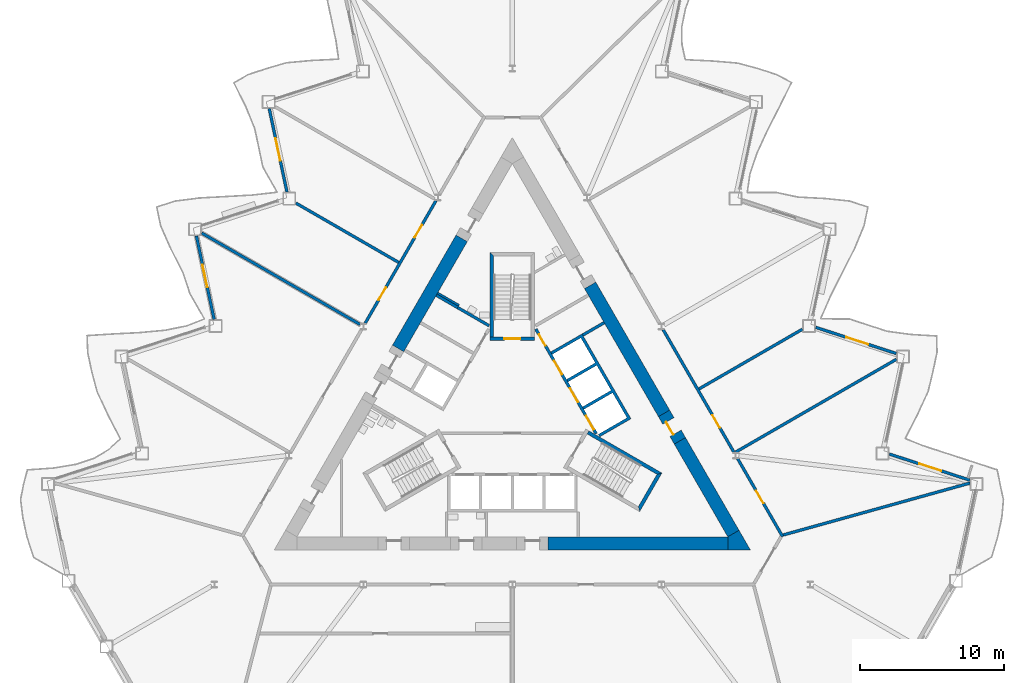
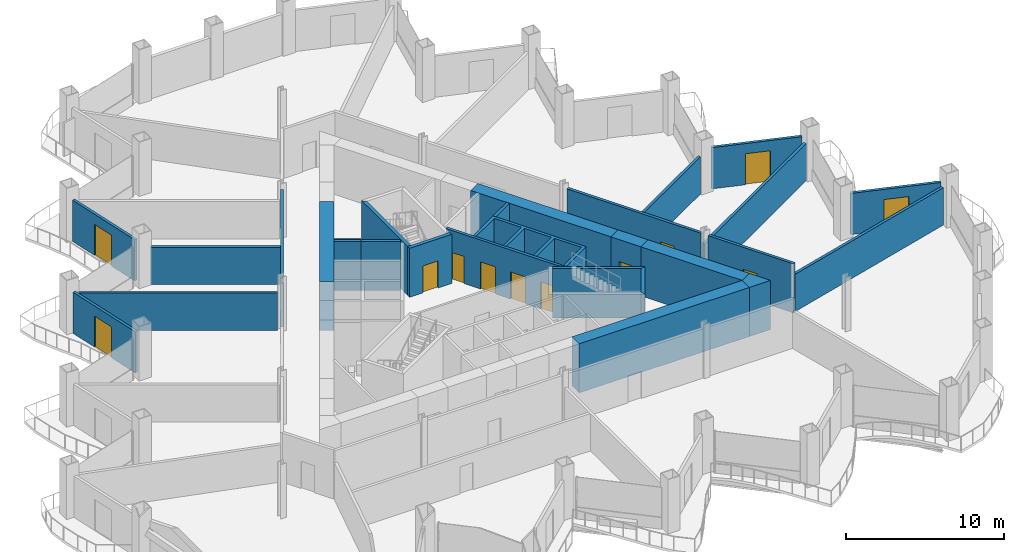
# One storey, part 12 of 21: 28 walls, 14 doors, 14 openings.
"""IFC4 building model written with IfcOpenShell, lengths in metres."""

import ifcopenshell
import ifcopenshell.guid

model = None  # the IFC model being written
_history = None  # IfcOwnerHistory: only IFC2X3 demands one
_inside = {}  # id of a spatial element -> (the spatial element, [elements in it])
_under = {}  # id of a project, library or spatial element -> (it, [spatial elements below it])
_declared = {}  # id of a project -> (the project, [libraries it declares])
_typed = {}  # id of a type object -> (the type object, [elements of that type])
_made_of = {}  # id of a material, layer set ... -> (it, [elements and type objects made of it])


def new_model(schema):
    """Start an empty IFC model of exactly this schema.

    Asked for "IFC4X3", IfcOpenShell would pick the latest addendum, in which some entities
    have other attributes; the version numbers below select the first issue.
    IFC2X3 requires an IfcOwnerHistory on every rooted entity: one is made here for all.
    """
    global model, _history
    if schema == "IFC4X3":
        model = ifcopenshell.file(schema_version=(4, 3, 0, 0))
    else:
        model = ifcopenshell.file(schema=schema)
    _inside.clear()
    _under.clear()
    _declared.clear()
    _typed.clear()
    _made_of.clear()
    _history = None
    if model.schema == "IFC2X3":
        org = make("IfcOrganization", Name="unknown")
        user = make(
            "IfcPersonAndOrganization",
            ThePerson=make("IfcPerson", FamilyName="unknown"),
            TheOrganization=org,
        )
        app = make(
            "IfcApplication",
            ApplicationDeveloper=org,
            Version="unknown",
            ApplicationFullName="unknown",
            ApplicationIdentifier="unknown",
        )
        _history = make(
            "IfcOwnerHistory",
            OwningUser=user,
            OwningApplication=app,
            ChangeAction="ADDED",
            CreationDate=0,
        )
    return model


def make(cls, **values):
    """One entity of the class cls with the attributes given. An attribute that is None is left unset."""
    return model.create_entity(
        cls, **{name: value for name, value in values.items() if value is not None}
    )


def rooted(cls, **values):
    """An entity with a GlobalId (a new one), such as an element, a storey or a relation."""
    return make(cls, GlobalId=ifcopenshell.guid.new(), OwnerHistory=_history, **values)


def si_unit(unit_type, name, prefix=None):
    """IfcSIUnit, for example si_unit("LENGTHUNIT", "METRE", prefix="MILLI")."""
    return make("IfcSIUnit", UnitType=unit_type, Prefix=prefix, Name=name)


def assignment(units):
    """IfcUnitAssignment: the units of a project."""
    return None if units is None else make("IfcUnitAssignment", Units=units)


def point(xyz):
    """IfcCartesianPoint."""
    return None if xyz is None else make("IfcCartesianPoint", Coordinates=xyz)


def direction(xyz):
    """IfcDirection."""
    return None if xyz is None else make("IfcDirection", DirectionRatios=xyz)


def frame(location, z_axis=None, x_axis=None):
    """IfcAxis2Placement3D, a coordinate frame: its origin and axes. An axis left out is left unset."""
    return make(
        "IfcAxis2Placement3D",
        Location=point(location),
        Axis=direction(z_axis),
        RefDirection=direction(x_axis),
    )


def frame_2d(location, x_axis=None):
    """IfcAxis2Placement2D, a coordinate frame in the plane: its origin and x axis."""
    return make(
        "IfcAxis2Placement2D", Location=point(location), RefDirection=direction(x_axis)
    )


def origin():
    """The frame at (0, 0, 0) with its axes left unset."""
    return frame((0.0, 0.0, 0.0))


def place(relative_to, where):
    """IfcLocalPlacement: puts the frame where relative to a parent placement (None: the world)."""
    return make(
        "IfcLocalPlacement", PlacementRelTo=relative_to, RelativePlacement=where
    )


def context(
    kind, dimensions, precision=None, world=None, true_north=None, identifier=None
):
    """IfcGeometricRepresentationContext, for example the 3D "Model" context."""
    return make(
        "IfcGeometricRepresentationContext",
        ContextIdentifier=identifier,
        ContextType=kind,
        CoordinateSpaceDimension=dimensions,
        Precision=precision,
        WorldCoordinateSystem=world,
        TrueNorth=true_north,
    )


def subcontext(parent, identifier, kind, view, scale=None):
    """IfcGeometricRepresentationSubContext, for example "Body" below "Model"."""
    return make(
        "IfcGeometricRepresentationSubContext",
        ContextIdentifier=identifier,
        ContextType=kind,
        ParentContext=parent,
        TargetScale=scale,
        TargetView=view,
    )


def project(units=None, contexts=None):
    """IfcProject with its units and contexts."""
    return rooted(
        "IfcProject",
        Name="project",
        RepresentationContexts=contexts,
        UnitsInContext=assignment(units),
    )


def spatial(cls, under=None, at=None, **own):
    """A site, building, storey or space (cls), placed at a placement, below another one or the project."""
    s = rooted(cls, ObjectPlacement=at, **own)
    if under is not None:
        _under.setdefault(under.id(), (under, []))[1].append(s)
    return s


def polyline(points):
    """IfcPolyline through the points."""
    return make("IfcPolyline", Points=[point(p) for p in points])


def profile(cls, at=None, kind="AREA", **sizes):
    """A parametric profile (cls). Its sizes go by their IFC names, for example OverallWidth=200.0."""
    return make(cls, ProfileType=kind, Position=at, **sizes)


def rectangle(**sizes):
    """IfcRectangleProfileDef."""
    return profile("IfcRectangleProfileDef", **sizes)


def outline(outer, holes=None, kind="AREA"):
    """IfcArbitraryClosedProfileDef: a profile drawn as a closed curve; with holes, ...WithVoids."""
    if holes is None:
        return make("IfcArbitraryClosedProfileDef", ProfileType=kind, OuterCurve=outer)
    return make(
        "IfcArbitraryProfileDefWithVoids",
        ProfileType=kind,
        OuterCurve=outer,
        InnerCurves=holes,
    )


def extrude(swept, where, along, depth):
    """IfcExtrudedAreaSolid: the profile swept, set in the frame where, extruded along a direction by depth."""
    return make(
        "IfcExtrudedAreaSolid",
        SweptArea=swept,
        Position=where,
        ExtrudedDirection=direction(along),
        Depth=depth,
    )


def shape(context_of_items, identifier, shape_type, items):
    """IfcShapeRepresentation: the items that make up one representation, for example the "Body"."""
    return make(
        "IfcShapeRepresentation",
        ContextOfItems=context_of_items,
        RepresentationIdentifier=identifier,
        RepresentationType=shape_type,
        Items=items,
    )


def material(Name=None, Category=None):
    """IfcMaterial."""
    return make("IfcMaterial", Name=Name, Category=Category)


def layer(
    of_material, thickness, ventilated=None, Name=None, Category=None, Priority=None
):
    """IfcMaterialLayer: one layer of a wall or slab, of a material (None: an air gap)."""
    return make(
        "IfcMaterialLayer",
        Material=of_material,
        LayerThickness=thickness,
        IsVentilated=ventilated,
        Name=Name,
        Category=Category,
        Priority=Priority,
    )


def layer_set(layers, Name=None):
    """IfcMaterialLayerSet."""
    return make("IfcMaterialLayerSet", MaterialLayers=layers, LayerSetName=Name)


def made_of(thing, what):
    """Note that an element or type object is made of a material, layer set ...; save() writes the relation."""
    if what is not None:
        _made_of.setdefault(what.id(), (what, []))[1].append(thing)
    return thing


def type_object(cls, material=None, **own):
    """A type object (cls), such as IfcWallType, which elements share."""
    return made_of(rooted(cls, **own), material)


def element(
    cls,
    number,
    at=None,
    inside=None,
    cuts=None,
    type_object=None,
    material=None,
    context=None,
    identifier="Body",
    shape_type=None,
    held_by="IfcProductDefinitionShape",
    body=None,
    shapes=None,
    **own,
):
    """One element of the class cls, such as IfcWall. Its Tag is "e" and its number.

    at: its placement. inside: the storey or other place that contains it. cuts: it is an
    opening in that element (IfcRelVoidsElement). A single representation is given by context,
    identifier, shape_type and body (its items); several are given by shapes. held_by: the class
    of the entity that holds the representations. save() writes the other relations.
    """
    e = rooted(cls, Tag="e%d" % number, ObjectPlacement=at, **own)
    if body is not None:
        shapes = [shape(context, identifier, shape_type, body)]
    if shapes is not None:
        e.Representation = make(held_by, Representations=shapes)
    if inside is not None:
        _inside.setdefault(inside.id(), (inside, []))[1].append(e)
    if cuts is not None:
        rooted(
            "IfcRelVoidsElement", RelatingBuildingElement=cuts, RelatedOpeningElement=e
        )
    if type_object is not None:
        _typed.setdefault(type_object.id(), (type_object, []))[1].append(e)
    return made_of(e, material)


def fill(opening, filler):
    """IfcRelFillsElement: the door or window that sits in an opening."""
    return rooted(
        "IfcRelFillsElement",
        RelatingOpeningElement=opening,
        RelatedBuildingElement=filler,
    )


def aggregate(whole, parts):
    """IfcRelAggregates: a whole, such as a stair, and the parts it consists of."""
    return rooted("IfcRelAggregates", RelatingObject=whole, RelatedObjects=parts)


def save(model, path):
    """Write the relations noted so far, then the file.

    IfcRelAggregates (storeys below a building ...), IfcRelContainedInSpatialStructure (elements
    in a storey), IfcRelDefinesByType, IfcRelAssociatesMaterial and IfcRelDeclares: one each for
    every whole, place, type object, material and project.
    """
    for whole, parts in _under.values():
        aggregate(whole, parts)
    for where, things in _inside.values():
        rooted(
            "IfcRelContainedInSpatialStructure",
            RelatedElements=things,
            RelatingStructure=where,
        )
    for kind, things in _typed.values():
        rooted("IfcRelDefinesByType", RelatedObjects=things, RelatingType=kind)
    for what, things in _made_of.values():
        rooted("IfcRelAssociatesMaterial", RelatedObjects=things, RelatingMaterial=what)
    for by, libraries in _declared.values():
        rooted("IfcRelDeclares", RelatingContext=by, RelatedDefinitions=libraries)
    model.write(path)


model = new_model("IFC4")

# Units and contexts
model_context = context("Model", 3, precision=1e-05, world=origin(), true_north=direction((0.0, 1.0)))
body_context = subcontext(model_context, "Body", "Model", "MODEL_VIEW")
ifc_project = project(units=[si_unit("LENGTHUNIT", "METRE"), si_unit("AREAUNIT", "SQUARE_METRE"), si_unit("VOLUMEUNIT", "CUBIC_METRE"), si_unit("PLANEANGLEUNIT", "RADIAN"), si_unit("MASSUNIT", "GRAM", prefix="KILO")], contexts=[model_context])

# Site, building, storey
site_placement = place(None, origin())
site = spatial("IfcSite", under=ifc_project, at=site_placement, CompositionType="ELEMENT")
building_placement = place(site_placement, origin())
building = spatial("IfcBuilding", under=site, at=building_placement, Name="Cormorant Prow Tower", CompositionType="ELEMENT")
storey_placement = place(building_placement, frame((0.0, 0.0, 137.39990234375)))
storey = spatial("IfcBuildingStorey", under=building, at=storey_placement, Name="L29", CompositionType="ELEMENT", Elevation=137.39990234375)

# Walls
ifc_material_1 = material(Name="Gypsum board partition")
ifc_layer_1 = layer(ifc_material_1, 0.14990234375)
ifc_layer_set_1 = layer_set([ifc_layer_1], Name="Gypsum board partition")
wall_type_1 = type_object("IfcWallType", Name="Core partition 150", PredefinedType="PARTITIONING", material=ifc_layer_set_1)
wall_1_placement = place(storey_placement, frame((-3.693359375, 7.4150390625, 0.0), z_axis=(0.0, 0.0, 1.0), x_axis=(-0.866024871741, 0.500000921525, 0.0)))
element("IfcWall", 1, at=wall_1_placement, inside=storey, type_object=wall_type_1, Name="Service room partition", PredefinedType="PARTITIONING", context=body_context, shape_type="SweptSolid", body=[
    extrude(rectangle(XDim=1.72021484375, YDim=0.14990234375, at=frame_2d((0.860107421875, 0.0))), origin(), (0.0, 0.0, 1.0), 3.800048828125),
])
ifc_material_2 = material(Name="Concrete 8000 psi", Category="concrete")
ifc_layer_2 = layer(ifc_material_2, 0.89990234375)
ifc_layer_set_2 = layer_set([ifc_layer_2], Name="Concrete 8000 psi")
wall_type_2 = type_object("IfcWallType", Name="Core shear wall 900", PredefinedType="SHEAR", material=ifc_layer_set_2)
wall_2_placement = place(storey_placement, frame((2.487548828125, -9.076416015625, 0.0), z_axis=(0.0, 0.0, 1.0), x_axis=(1.0, 0.0, 0.0)))
element("IfcWall", 2, at=wall_2_placement, inside=storey, type_object=wall_type_2, Name="Core wall", PredefinedType="SHEAR", context=body_context, shape_type="SweptSolid", body=[
    extrude(rectangle(XDim=12.45361328125, YDim=0.89990234375, at=frame_2d((6.226806640625, 0.0))), origin(), (0.0, 0.0, 1.0), 3.800048828125),
])
wall_3_placement = place(storey_placement, frame((10.5205078125, -0.069580078125, 0.0), z_axis=(0.0, 0.0, 1.0), x_axis=(-0.499997384719, 0.866026913713, 0.0)))
element("IfcWall", 3, at=wall_3_placement, inside=storey, type_object=wall_type_2, Name="Core wall", PredefinedType="SHEAR", context=body_context, shape_type="SweptSolid", body=[
    extrude(rectangle(XDim=10.2490234375, YDim=0.89990234375, at=frame_2d((5.12451171875, 0.0))), origin(), (0.0, 0.0, 1.0), 3.800048828125),
])
wall_4_placement = place(storey_placement, frame((15.330810546875, -8.4013671875, 0.0), z_axis=(0.0, 0.0, 1.0), x_axis=(-0.499985413531, 0.866033825122, 0.0)))
element("IfcWall", 4, at=wall_4_placement, inside=storey, type_object=wall_type_2, Name="Core wall", PredefinedType="SHEAR", context=body_context, shape_type="SweptSolid", body=[
    extrude(rectangle(XDim=7.420654296875, YDim=0.89990234375, at=frame_2d((3.71044921875, 0.0))), origin(), (0.0, 0.0, 1.0), 3.800048828125),
])
wall_5_placement = place(storey_placement, frame((-3.512451171875, 12.06884765625, 0.0), z_axis=(0.0, 0.0, 1.0), x_axis=(-0.500002126466, -0.866024176065, 0.0)))
element("IfcWall", 5, at=wall_5_placement, inside=storey, type_object=wall_type_2, Name="Core wall", PredefinedType="SHEAR", context=body_context, shape_type="SweptSolid", body=[
    extrude(rectangle(XDim=8.81591796875, YDim=0.89990234375, at=frame_2d((4.407958984375, 0.0))), origin(), (0.0, 0.0, 1.0), 3.800048828125),
])
wall_6_placement = place(storey_placement, origin())
element("IfcWall", 6, at=wall_6_placement, inside=storey, type_object=wall_type_2, Name="Core wall corner", PredefinedType="SHEAR", context=body_context, shape_type="SweptSolid", body=[
    extrude(outline(polyline([(14.941162109375, -8.626220703125), (15.720703125, -8.17626953125), (16.5, -9.5263671875), (14.941162109375, -9.5263671875), (14.941162109375, -8.626220703125)])), origin(), (0.0, 0.0, 1.0), 3.800048828125),
])

# Wall, opening, door
wall_7_placement = place(storey_placement, frame((11.62060546875, -1.974853515625, 0.0), z_axis=(0.0, 0.0, 1.0), x_axis=(-0.50002983664, 0.866008176907, 0.0)))
wall_7 = element("IfcWall", 7, at=wall_7_placement, inside=storey, type_object=wall_type_2, Name="Core wall door panel", PredefinedType="SHEAR", context=body_context, shape_type="SweptSolid", body=[
    extrude(rectangle(XDim=2.199951171875, YDim=0.89990234375, at=frame_2d((1.10009765625, 0.0))), origin(), (0.0, 0.0, 1.0), 3.800048828125),
])
opening_1_placement = place(wall_7_placement, frame((0.60009765625, 0.0, 0.0)))
opening_1 = element("IfcOpeningElement", 8, at=opening_1_placement, cuts=wall_7, Name="Opening L29-C19", PredefinedType="OPENING", context=body_context, shape_type="SweptSolid", body=[
    extrude(rectangle(XDim=1.0, YDim=2.10009765625, at=frame_2d((0.5, 1.050048828125))), frame((0.0, 0.4599609375, 0.0), z_axis=(0.0, -1.0, 0.0), x_axis=(1.0, 0.0, 0.0)), (0.0, 0.0, 1.0), 0.919921875),
])
ifc_material_3 = material(Name="Painted steel", Category="steel")
door_type_1 = type_object("IfcDoorType", Name="Service door 1000x2100", OperationType="NOTDEFINED", PredefinedType="DOOR", material=ifc_material_3)
door_1_placement = place(opening_1_placement, origin())
door_1 = element("IfcDoor", 9, at=door_1_placement, inside=storey, type_object=door_type_1, Name="Core door, Telecom room", OperationType="SINGLE_SWING_LEFT", OverallHeight=2.10009765625, OverallWidth=1.0, PredefinedType="DOOR", context=body_context, shape_type="SweptSolid", body=[
    extrude(rectangle(XDim=1.0, YDim=2.10009765625, at=frame_2d((0.5, 1.050048828125))), frame((0.0, 0.205078125, 0.0), z_axis=(0.0, -1.0, 0.0), x_axis=(1.0, 0.0, 0.0)), (0.0, 0.0, 1.0), 0.050048828125),
])
fill(opening_1, door_1)

ifc_material_4 = material(Name="Gypsum board corridor wall")
ifc_layer_3 = layer(ifc_material_4, 0.199951171875)
ifc_layer_set_3 = layer_set([ifc_layer_3], Name="Gypsum board corridor wall")
wall_type_3 = type_object("IfcWallType", Name="Corridor wall 200", PredefinedType="PARTITIONING", material=ifc_layer_set_3)
wall_8_placement = place(storey_placement, frame((10.459716796875, 5.735595703125, 0.0), z_axis=(0.0, 0.0, 1.0), x_axis=(0.500004141693, -0.866023012564, 0.0)))
wall_8 = element("IfcWall", 10, at=wall_8_placement, inside=storey, type_object=wall_type_3, Name="Corridor wall", PredefinedType="PARTITIONING", context=body_context, shape_type="SweptSolid", body=[
    extrude(rectangle(XDim=9.80322265625, YDim=0.199951171875, at=frame_2d((4.901611328125, 0.0))), origin(), (0.0, 0.0, 1.0), 3.800048828125),
])
opening_2_placement = place(wall_8_placement, frame((6.8525390625, 0.0, 0.0)))
opening_2 = element("IfcOpeningElement", 11, at=opening_2_placement, cuts=wall_8, Name="Opening L29-F06", PredefinedType="OPENING", context=body_context, shape_type="SweptSolid", body=[
    extrude(rectangle(XDim=1.0, YDim=2.10009765625, at=frame_2d((0.5, 1.050048828125))), frame((0.0, 0.10986328125, 0.0), z_axis=(0.0, -1.0, 0.0), x_axis=(1.0, 0.0, 0.0)), (0.0, 0.0, 1.0), 0.219970703125),
])
ifc_material_5 = material(Name="Timber door leaf", Category="wood")
door_type_2 = type_object("IfcDoorType", Name="Office door 1000x2100", OperationType="NOTDEFINED", PredefinedType="DOOR", material=ifc_material_5)
door_2_placement = place(opening_2_placement, origin())
door_2 = element("IfcDoor", 12, at=door_2_placement, inside=storey, type_object=door_type_2, Name="Meeting room door", OperationType="SINGLE_SWING_LEFT", OverallHeight=2.10009765625, OverallWidth=1.0, PredefinedType="DOOR", context=body_context, shape_type="SweptSolid", body=[
    extrude(rectangle(XDim=1.0, YDim=2.10009765625, at=frame_2d((0.5, 1.050048828125))), frame((0.0, 0.02490234375, 0.0), z_axis=(0.0, -1.0, 0.0), x_axis=(1.0, 0.0, 0.0)), (0.0, 0.0, 1.0), 0.050048828125),
])
fill(opening_2, door_2)

# Wall, openings, doors
wall_9_placement = place(storey_placement, frame((-10.197265625, 6.1904296875, 0.0), z_axis=(0.0, 0.0, 1.0), x_axis=(0.500012035596, 0.866018454918, 0.0)))
wall_9 = element("IfcWall", 13, at=wall_9_placement, inside=storey, type_object=wall_type_3, Name="Corridor wall", PredefinedType="PARTITIONING", context=body_context, shape_type="SweptSolid", body=[
    extrude(rectangle(XDim=9.803466796875, YDim=0.199951171875, at=frame_2d((4.90185546875, 0.0))), origin(), (0.0, 0.0, 1.0), 3.800048828125),
])
opening_3_placement = place(wall_9_placement, frame((6.8525390625, 0.0, 0.0)))
opening_3 = element("IfcOpeningElement", 14, at=opening_3_placement, cuts=wall_9, Name="Opening L29-F11", PredefinedType="OPENING", context=body_context, shape_type="SweptSolid", body=[
    extrude(rectangle(XDim=1.0, YDim=2.10009765625, at=frame_2d((0.5, 1.050048828125))), frame((0.0, 0.10986328125, 0.0), z_axis=(0.0, -1.0, 0.0), x_axis=(1.0, 0.0, 0.0)), (0.0, 0.0, 1.0), 0.219970703125),
])
opening_4_placement = place(wall_9_placement, frame((1.8505859375, 0.0, 0.0)))
opening_4 = element("IfcOpeningElement", 15, at=opening_4_placement, cuts=wall_9, Name="Opening L29-F12", PredefinedType="OPENING", context=body_context, shape_type="SweptSolid", body=[
    extrude(rectangle(XDim=1.0, YDim=2.10009765625, at=frame_2d((0.5, 1.050048828125))), frame((0.0, 0.10986328125, 0.0), z_axis=(0.0, -1.0, 0.0), x_axis=(1.0, 0.0, 0.0)), (0.0, 0.0, 1.0), 0.219970703125),
])
door_3_placement = place(opening_3_placement, origin())
door_3 = element("IfcDoor", 16, at=door_3_placement, inside=storey, type_object=door_type_2, Name="Meeting room door", OperationType="SINGLE_SWING_RIGHT", OverallHeight=2.10009765625, OverallWidth=1.0, PredefinedType="DOOR", context=body_context, shape_type="SweptSolid", body=[
    extrude(rectangle(XDim=1.0, YDim=2.10009765625, at=frame_2d((0.5, 1.050048828125))), frame((0.0, 0.02490234375, 0.0), z_axis=(0.0, -1.0, 0.0), x_axis=(1.0, 0.0, 0.0)), (0.0, 0.0, 1.0), 0.050048828125),
])
fill(opening_3, door_3)
door_4_placement = place(opening_4_placement, origin())
door_4 = element("IfcDoor", 17, at=door_4_placement, inside=storey, type_object=door_type_2, Name="Meeting room door", OperationType="SINGLE_SWING_RIGHT", OverallHeight=2.10009765625, OverallWidth=1.0, PredefinedType="DOOR", context=body_context, shape_type="SweptSolid", body=[
    extrude(rectangle(XDim=1.0, YDim=2.10009765625, at=frame_2d((0.5, 1.050048828125))), frame((0.0, 0.02490234375, 0.0), z_axis=(0.0, -1.0, 0.0), x_axis=(1.0, 0.0, 0.0)), (0.0, 0.0, 1.0), 0.050048828125),
])
fill(opening_4, door_4)

# Wall, opening, door
wall_10_placement = place(storey_placement, frame((15.6240234375, -3.208984375, 0.0), z_axis=(0.0, 0.0, 1.0), x_axis=(0.499997920671, -0.866026604282, 0.0)))
wall_10 = element("IfcWall", 18, at=wall_10_placement, inside=storey, type_object=wall_type_3, Name="Corridor wall", PredefinedType="PARTITIONING", context=body_context, shape_type="SweptSolid", body=[
    extrude(rectangle(XDim=6.23974609375, YDim=0.199951171875, at=frame_2d((3.119873046875, 0.0))), origin(), (0.0, 0.0, 1.0), 3.800048828125),
])
opening_5_placement = place(wall_10_placement, frame((2.569580078125, 0.0, 0.0)))
opening_5 = element("IfcOpeningElement", 19, at=opening_5_placement, cuts=wall_10, Name="Opening L29-F05", PredefinedType="OPENING", context=body_context, shape_type="SweptSolid", body=[
    extrude(rectangle(XDim=1.0, YDim=2.10009765625, at=frame_2d((0.5, 1.050048828125))), frame((0.0, 0.10986328125, 0.0), z_axis=(0.0, -1.0, 0.0), x_axis=(1.0, 0.0, 0.0)), (0.0, 0.0, 1.0), 0.219970703125),
])
door_5_placement = place(opening_5_placement, origin())
door_5 = element("IfcDoor", 20, at=door_5_placement, inside=storey, type_object=door_type_2, Name="Co-working room door", OperationType="SINGLE_SWING_LEFT", OverallHeight=2.10009765625, OverallWidth=1.0, PredefinedType="DOOR", context=body_context, shape_type="SweptSolid", body=[
    extrude(rectangle(XDim=1.0, YDim=2.10009765625, at=frame_2d((0.5, 1.050048828125))), frame((0.0, 0.02490234375, 0.0), z_axis=(0.0, -1.0, 0.0), x_axis=(1.0, 0.0, 0.0)), (0.0, 0.0, 1.0), 0.050048828125),
])
fill(opening_5, door_5)

# Walls
ifc_material_6 = material(Name="Gypsum board demising wall")
ifc_layer_4 = layer(ifc_material_6, 0.199951171875)
ifc_layer_set_4 = layer_set([ifc_layer_4], Name="Gypsum board demising wall")
wall_type_4 = type_object("IfcWallType", Name="Demising wall 200", PredefinedType="PARTITIONING", material=ifc_layer_set_4)
wall_11_placement = place(storey_placement, frame((18.790283203125, -8.49951171875, 0.0), z_axis=(0.0, 0.0, 1.0), x_axis=(0.963468434011, 0.267821912219, 0.0)))
element("IfcWall", 21, at=wall_11_placement, inside=storey, type_object=wall_type_4, Name="Demising wall", PredefinedType="PARTITIONING", context=body_context, shape_type="SweptSolid", body=[
    extrude(rectangle(XDim=13.436767578125, YDim=0.199951171875, at=frame_2d((6.71826171875, 0.0))), origin(), (0.0, 0.0, 1.0), 2.885498046875),
])
wall_12_placement = place(storey_placement, frame((15.48779296875, -2.754150390625, 0.0), z_axis=(0.0, 0.0, 1.0), x_axis=(0.866026411352, 0.499998254837, 0.0)))
element("IfcWall", 22, at=wall_12_placement, inside=storey, type_object=wall_type_4, Name="Demising wall", PredefinedType="PARTITIONING", context=body_context, shape_type="SweptSolid", body=[
    extrude(rectangle(XDim=12.873046875, YDim=0.199951171875, at=frame_2d((6.4365234375, 0.0))), origin(), (0.0, 0.0, 1.0), 2.885498046875),
])
wall_13_placement = place(storey_placement, frame((-21.536376953125, 12.43408203125, 0.0), z_axis=(0.0, 0.0, 1.0), x_axis=(0.86602461759, -0.500001361726, 0.0)))
element("IfcWall", 23, at=wall_13_placement, inside=storey, type_object=wall_type_4, Name="Demising wall", PredefinedType="PARTITIONING", context=body_context, shape_type="SweptSolid", body=[
    extrude(rectangle(XDim=12.67919921875, YDim=0.199951171875, at=frame_2d((6.339599609375, 0.0))), origin(), (0.0, 0.0, 1.0), 2.885498046875),
])
wall_14_placement = place(storey_placement, frame((12.947265625, 1.627197265625, 0.0), z_axis=(0.0, 0.0, 1.0), x_axis=(0.866034669089, 0.499983951678, 0.0)))
element("IfcWall", 24, at=wall_14_placement, inside=storey, type_object=wall_type_4, Name="Demising wall", PredefinedType="PARTITIONING", context=body_context, shape_type="SweptSolid", body=[
    extrude(rectangle(XDim=8.270263671875, YDim=0.199951171875, at=frame_2d((4.13525390625, 0.0))), origin(), (0.0, 0.0, 1.0), 2.885498046875),
])
wall_15_placement = place(storey_placement, frame((-15.009521484375, 14.513916015625, 0.0), z_axis=(0.0, 0.0, 1.0), x_axis=(0.866018103232, -0.500012644715, 0.0)))
element("IfcWall", 25, at=wall_15_placement, inside=storey, type_object=wall_type_4, Name="Demising wall", PredefinedType="PARTITIONING", context=body_context, shape_type="SweptSolid", body=[
    extrude(rectangle(XDim=8.229248046875, YDim=0.199951171875, at=frame_2d((4.11474609375, 0.0))), origin(), (0.0, 0.0, 1.0), 2.885498046875),
])

# Wall, openings, doors
ifc_material_7 = material(Name="Concrete 5000 psi", Category="concrete")
ifc_layer_5 = layer(ifc_material_7, 0.199951171875)
ifc_layer_set_5 = layer_set([ifc_layer_5], Name="Concrete 5000 psi")
wall_type_5 = type_object("IfcWallType", Name="Lift lobby wall 200", PredefinedType="SOLIDWALL", material=ifc_layer_set_5)
wall_16_placement = place(storey_placement, frame((5.817138671875, -1.4755859375, 0.0), z_axis=(0.0, 0.0, 1.0), x_axis=(-0.500002616675, 0.866023893041, 0.0)))
wall_16 = element("IfcWall", 26, at=wall_16_placement, inside=storey, type_object=wall_type_5, Name="Lift lobby wall, ENE block", PredefinedType="SOLIDWALL", context=body_context, shape_type="SweptSolid", body=[
    extrude(rectangle(XDim=8.373046875, YDim=0.199951171875, at=frame_2d((4.1865234375, 0.0))), origin(), (0.0, 0.0, 1.0), 3.800048828125),
])
opening_6_placement = place(wall_16_placement, frame((0.336669921875, 0.0, 0.0)))
opening_6 = element("IfcOpeningElement", 27, at=opening_6_placement, cuts=wall_16, Name="Opening L29-C05", PredefinedType="OPENING", context=body_context, shape_type="SweptSolid", body=[
    extrude(rectangle(XDim=1.10009765625, YDim=2.10009765625, at=frame_2d((0.550048828125, 1.050048828125))), frame((0.0, 0.10986328125, 0.0), z_axis=(0.0, -1.0, 0.0), x_axis=(1.0, 0.0, 0.0)), (0.0, 0.0, 1.0), 0.219970703125),
])
opening_7_placement = place(wall_16_placement, frame((2.53662109375, 0.0, 0.0)))
opening_7 = element("IfcOpeningElement", 28, at=opening_7_placement, cuts=wall_16, Name="Opening L29-C06", PredefinedType="OPENING", context=body_context, shape_type="SweptSolid", body=[
    extrude(rectangle(XDim=1.10009765625, YDim=2.10009765625, at=frame_2d((0.550048828125, 1.050048828125))), frame((0.0, 0.10986328125, 0.0), z_axis=(0.0, -1.0, 0.0), x_axis=(1.0, 0.0, 0.0)), (0.0, 0.0, 1.0), 0.219970703125),
])
opening_8_placement = place(wall_16_placement, frame((4.736572265625, 0.0, 0.0)))
opening_8 = element("IfcOpeningElement", 29, at=opening_8_placement, cuts=wall_16, Name="Opening L29-C07", PredefinedType="OPENING", context=body_context, shape_type="SweptSolid", body=[
    extrude(rectangle(XDim=1.10009765625, YDim=2.10009765625, at=frame_2d((0.550048828125, 1.050048828125))), frame((0.0, 0.10986328125, 0.0), z_axis=(0.0, -1.0, 0.0), x_axis=(1.0, 0.0, 0.0)), (0.0, 0.0, 1.0), 0.219970703125),
])
opening_9_placement = place(wall_16_placement, frame((7.03662109375, 0.0, 0.0)))
opening_9 = element("IfcOpeningElement", 30, at=opening_9_placement, cuts=wall_16, Name="Opening L29-C08", PredefinedType="OPENING", context=body_context, shape_type="SweptSolid", body=[
    extrude(rectangle(XDim=0.89990234375, YDim=2.10009765625, at=frame_2d((0.449951171875, 1.050048828125))), frame((0.0, 0.10986328125, 0.0), z_axis=(0.0, -1.0, 0.0), x_axis=(1.0, 0.0, 0.0)), (0.0, 0.0, 1.0), 0.219970703125),
])
ifc_material_8 = material(Name="Painted steel", Category="steel")
door_type_3 = type_object("IfcDoorType", Name="Lift landing door 1100x2100", OperationType="SLIDING_TO_LEFT", PredefinedType="DOOR", material=ifc_material_8)
door_6_placement = place(opening_6_placement, origin())
door_6 = element("IfcDoor", 31, at=door_6_placement, inside=storey, type_object=door_type_3, Name="Landing door LR2", OperationType="SLIDING_TO_LEFT", OverallHeight=2.10009765625, OverallWidth=1.10009765625, PredefinedType="DOOR", context=body_context, shape_type="SweptSolid", body=[
    extrude(rectangle(XDim=1.10009765625, YDim=2.10009765625, at=frame_2d((0.550048828125, 1.050048828125))), frame((0.0, 0.02490234375, 0.0), z_axis=(0.0, -1.0, 0.0), x_axis=(1.0, 0.0, 0.0)), (0.0, 0.0, 1.0), 0.050048828125),
])
fill(opening_6, door_6)
door_7_placement = place(opening_7_placement, origin())
door_7 = element("IfcDoor", 32, at=door_7_placement, inside=storey, type_object=door_type_3, Name="Landing door LR3", OperationType="SLIDING_TO_LEFT", OverallHeight=2.10009765625, OverallWidth=1.10009765625, PredefinedType="DOOR", context=body_context, shape_type="SweptSolid", body=[
    extrude(rectangle(XDim=1.10009765625, YDim=2.10009765625, at=frame_2d((0.550048828125, 1.050048828125))), frame((0.0, 0.02490234375, 0.0), z_axis=(0.0, -1.0, 0.0), x_axis=(1.0, 0.0, 0.0)), (0.0, 0.0, 1.0), 0.050048828125),
])
fill(opening_7, door_7)
door_8_placement = place(opening_8_placement, origin())
door_8 = element("IfcDoor", 33, at=door_8_placement, inside=storey, type_object=door_type_3, Name="Landing door LR4", OperationType="SLIDING_TO_LEFT", OverallHeight=2.10009765625, OverallWidth=1.10009765625, PredefinedType="DOOR", context=body_context, shape_type="SweptSolid", body=[
    extrude(rectangle(XDim=1.10009765625, YDim=2.10009765625, at=frame_2d((0.550048828125, 1.050048828125))), frame((0.0, 0.02490234375, 0.0), z_axis=(0.0, -1.0, 0.0), x_axis=(1.0, 0.0, 0.0)), (0.0, 0.0, 1.0), 0.050048828125),
])
fill(opening_8, door_8)
ifc_material_9 = material(Name="Painted steel", Category="steel")
door_type_4 = type_object("IfcDoorType", Name="Service door 900x2100", OperationType="NOTDEFINED", PredefinedType="DOOR", material=ifc_material_9)
door_9_placement = place(opening_9_placement, origin())
door_9 = element("IfcDoor", 34, at=door_9_placement, inside=storey, type_object=door_type_4, Name="Service door, Telecom room", OperationType="SINGLE_SWING_RIGHT", OverallHeight=2.10009765625, OverallWidth=0.89990234375, PredefinedType="DOOR", context=body_context, shape_type="SweptSolid", body=[
    extrude(rectangle(XDim=0.89990234375, YDim=2.10009765625, at=frame_2d((0.449951171875, 1.050048828125))), frame((0.0, 0.02490234375, 0.0), z_axis=(0.0, -1.0, 0.0), x_axis=(1.0, 0.0, 0.0)), (0.0, 0.0, 1.0), 0.050048828125),
])
fill(opening_9, door_9)

# Walls
ifc_material_10 = material(Name="Concrete 8000 psi", Category="concrete")
ifc_layer_6 = layer(ifc_material_10, 0.199951171875)
ifc_layer_set_6 = layer_set([ifc_layer_6], Name="Concrete 8000 psi")
wall_type_6 = type_object("IfcWallType", Name="Lift shaft wall 200", PredefinedType="SHEAR", material=ifc_layer_set_6)
wall_17_placement = place(storey_placement, origin())
element("IfcWall", 35, at=wall_17_placement, inside=storey, type_object=wall_type_6, Name="Lift shaft walls, ENE block", PredefinedType="SHEAR", context=body_context, shape_type="SweptSolid", body=[
    extrude(outline(polyline([(2.660400390625, 4.19189453125), (4.830810546875, 5.44482421875), (8.230712890625, -0.444091796875), (6.060546875, -1.697021484375), (5.96044921875, -1.52392578125), (7.952392578125, -0.373779296875), (6.952392578125, 1.358154296875), (4.96044921875, 0.2080078125), (4.860595703125, 0.38134765625), (6.852294921875, 1.53125), (5.852294921875, 3.263427734375), (3.860595703125, 2.11328125), (3.760498046875, 2.28662109375), (5.75244140625, 3.4365234375), (4.75244140625, 5.168701171875), (2.760498046875, 4.018798828125), (2.660400390625, 4.19189453125)])), origin(), (0.0, 0.0, 1.0), 3.800048828125),
])
wall_18_placement = place(storey_placement, frame((4.880859375, 5.3583984375, 0.0), z_axis=(0.0, 0.0, 1.0), x_axis=(0.866024871741, 0.500000921525, 0.0)))
element("IfcWall", 36, at=wall_18_placement, inside=storey, type_object=wall_type_6, Name="Store side wall", PredefinedType="SHEAR", context=body_context, shape_type="SweptSolid", body=[
    extrude(rectangle(XDim=1.72021484375, YDim=0.199951171875, at=frame_2d((0.860107421875, 0.0))), origin(), (0.0, 0.0, 1.0), 3.800048828125),
])
wall_19_placement = place(storey_placement, origin())
element("IfcWall", 37, at=wall_19_placement, inside=storey, type_object=wall_type_6, Name="Lift shaft walls, WNW block", PredefinedType="SHEAR", context=body_context, shape_type="SweptSolid", body=[
    extrude(outline(polyline([(-3.730712890625, 7.35009765625), (-1.560546875, 6.09716796875), (-1.660400390625, 5.923828125), (-3.830810546875, 7.177001953125), (-3.730712890625, 7.35009765625)])), origin(), (0.0, 0.0, 1.0), 3.800048828125),
])
wall_20_placement = place(storey_placement, frame((-3.78076171875, 7.263427734375, 0.0), z_axis=(0.0, 0.0, 1.0), x_axis=(-0.865963414263, 0.500107353632, 0.0)))
element("IfcWall", 38, at=wall_20_placement, inside=storey, type_object=wall_type_6, Name="Store side wall", PredefinedType="SHEAR", context=body_context, shape_type="SweptSolid", body=[
    extrude(rectangle(XDim=1.72021484375, YDim=0.199951171875, at=frame_2d((0.860107421875, 0.0))), origin(), (0.0, 0.0, 1.0), 3.800048828125),
])
ifc_material_11 = material(Name="Concrete 8000 psi", Category="concrete")
ifc_layer_7 = layer(ifc_material_11, 0.25)
ifc_layer_set_7 = layer_set([ifc_layer_7], Name="Concrete 8000 psi")
wall_type_7 = type_object("IfcWallType", Name="Stair wall 250", PredefinedType="SHEAR", material=ifc_layer_set_7)
wall_21_placement = place(storey_placement, origin())
element("IfcWall", 39, at=wall_21_placement, inside=storey, type_object=wall_type_7, Name="Stair ST2 enclosure wall (end)", PredefinedType="SHEAR", context=body_context, shape_type="SweptSolid", body=[
    extrude(outline(polyline([(8.82958984375, -6.880615234375), (10.37353515625, -4.206298828125), (10.031982421875, -4.2978515625), (8.738037109375, -6.5390625), (8.82958984375, -6.880615234375)])), origin(), (0.0, 0.0, 1.0), 3.800048828125),
])
wall_22_placement = place(storey_placement, origin())
element("IfcWall", 40, at=wall_22_placement, inside=storey, type_object=wall_type_7, Name="Stair ST2 enclosure wall (flank)", PredefinedType="SHEAR", context=body_context, shape_type="SweptSolid", body=[
    extrude(outline(polyline([(10.031982421875, -4.2978515625), (10.37353515625, -4.206298828125), (5.30712890625, -1.28125), (5.18212890625, -1.497802734375), (10.031982421875, -4.2978515625)])), origin(), (0.0, 0.0, 1.0), 3.800048828125),
])
wall_23_placement = place(storey_placement, origin())
element("IfcWall", 41, at=wall_23_placement, inside=storey, type_object=wall_type_7, Name="Stair ST3 enclosure wall (flank)", PredefinedType="SHEAR", context=body_context, shape_type="SweptSolid", body=[
    extrude(outline(polyline([(-1.2939453125, 10.8369140625), (-1.5439453125, 11.0869140625), (-1.5439453125, 5.23681640625), (-1.2939453125, 5.23681640625), (-1.2939453125, 10.8369140625)])), origin(), (0.0, 0.0, 1.0), 3.800048828125),
])

# Wall, opening, door
wall_24_placement = place(storey_placement, frame((1.5439453125, 5.11181640625, 0.0), z_axis=(0.0, 0.0, 1.0), x_axis=(-1.0, 0.0, 0.0)))
wall_24 = element("IfcWall", 42, at=wall_24_placement, inside=storey, type_object=wall_type_7, Name="Stair ST3 door wall", PredefinedType="SHEAR", context=body_context, shape_type="SweptSolid", body=[
    extrude(rectangle(XDim=3.087890625, YDim=0.25, at=frame_2d((1.5439453125, 0.0))), origin(), (0.0, 0.0, 1.0), 3.800048828125),
])
opening_10_placement = place(wall_24_placement, frame((0.993896484375, 0.0, 0.0)))
opening_10 = element("IfcOpeningElement", 43, at=opening_10_placement, cuts=wall_24, Name="Opening L29-C14", PredefinedType="OPENING", context=body_context, shape_type="SweptSolid", body=[
    extrude(rectangle(XDim=1.10009765625, YDim=2.10009765625, at=frame_2d((0.550048828125, 1.050048828125))), frame((0.0, 0.135009765625, 0.0), z_axis=(0.0, -1.0, 0.0), x_axis=(1.0, 0.0, 0.0)), (0.0, 0.0, 1.0), 0.27001953125),
])
ifc_material_12 = material(Name="Painted steel", Category="steel")
door_type_5 = type_object("IfcDoorType", Name="Stair door 1100x2100", OperationType="NOTDEFINED", PredefinedType="DOOR", material=ifc_material_12)
door_10_placement = place(opening_10_placement, origin())
door_10 = element("IfcDoor", 44, at=door_10_placement, inside=storey, type_object=door_type_5, Name="Stair ST3 door", OperationType="SINGLE_SWING_RIGHT", OverallHeight=2.10009765625, OverallWidth=1.10009765625, PredefinedType="DOOR", context=body_context, shape_type="SweptSolid", body=[
    extrude(rectangle(XDim=1.10009765625, YDim=2.10009765625, at=frame_2d((0.550048828125, 1.050048828125))), frame((0.0, 0.02490234375, 0.0), z_axis=(0.0, -1.0, 0.0), x_axis=(1.0, 0.0, 0.0)), (0.0, 0.0, 1.0), 0.050048828125),
])
fill(opening_10, door_10)

ifc_material_13 = material(Name="Terracotta", Category="masonry")
ifc_layer_8 = layer(ifc_material_13, 0.199951171875)
ifc_layer_set_8 = layer_set([ifc_layer_8], Name="Terracotta")
wall_type_8 = type_object("IfcWallType", Name="Terracotta jamb wall 200", PredefinedType="SOLIDWALL", material=ifc_layer_set_8)
wall_25_placement = place(storey_placement, frame((31.721435546875, -4.701904296875, 0.0), z_axis=(0.0, 0.0, 1.0), x_axis=(-0.951053952554, 0.309024884649, 0.0)))
wall_25 = element("IfcWall", 45, at=wall_25_placement, inside=storey, type_object=wall_type_8, Name="Terracotta jamb wall ENE01", PredefinedType="SOLIDWALL", context=body_context, shape_type="SweptSolid", body=[
    extrude(rectangle(XDim=5.864501953125, YDim=0.199951171875, at=frame_2d((2.93212890625, 0.0))), origin(), (0.0, 0.0, 1.0), 3.18896484375),
])
opening_11_placement = place(wall_25_placement, frame((2.07958984375, 0.0, 0.0)))
opening_11 = element("IfcOpeningElement", 46, at=opening_11_placement, cuts=wall_25, Name="Opening ED29.06", PredefinedType="OPENING", context=body_context, shape_type="SweptSolid", body=[
    extrude(rectangle(XDim=1.60009765625, YDim=2.39990234375, at=frame_2d((0.800048828125, 1.199951171875))), frame((0.0, 0.10986328125, 0.0), z_axis=(0.0, -1.0, 0.0), x_axis=(1.0, 0.0, 0.0)), (0.0, 0.0, 1.0), 0.219970703125),
])
ifc_material_14 = material(Name="Aluminium 6063-T6", Category="aluminium")
door_type_6 = type_object("IfcDoorType", Name="Balcony door 1600x2400", OperationType="DOUBLE_DOOR_SINGLE_SWING", PredefinedType="DOOR", material=ifc_material_14)
door_11_placement = place(opening_11_placement, origin())
door_11 = element("IfcDoor", 47, at=door_11_placement, inside=storey, type_object=door_type_6, Name="Balcony door ENE01 ED29.06", OperationType="DOUBLE_DOOR_SINGLE_SWING", OverallHeight=2.39990234375, OverallWidth=1.60009765625, PredefinedType="DOOR", context=body_context, shape_type="SweptSolid", body=[
    extrude(rectangle(XDim=1.60009765625, YDim=2.39990234375, at=frame_2d((0.800048828125, 1.199951171875))), frame((0.0, 0.02490234375, 0.0), z_axis=(0.0, -1.0, 0.0), x_axis=(1.0, 0.0, 0.0)), (0.0, 0.0, 1.0), 0.050048828125),
])
fill(opening_11, door_11)

wall_26_placement = place(storey_placement, frame((26.62158203125, 4.08154296875, 0.0), z_axis=(0.0, 0.0, 1.0), x_axis=(-0.951053952554, 0.309024884649, 0.0)))
wall_26 = element("IfcWall", 48, at=wall_26_placement, inside=storey, type_object=wall_type_8, Name="Terracotta jamb wall ENE03", PredefinedType="SOLIDWALL", context=body_context, shape_type="SweptSolid", body=[
    extrude(rectangle(XDim=5.864501953125, YDim=0.199951171875, at=frame_2d((2.93212890625, 0.0))), origin(), (0.0, 0.0, 1.0), 3.18896484375),
])
opening_12_placement = place(wall_26_placement, frame((2.04248046875, 0.0, 0.0)))
opening_12 = element("IfcOpeningElement", 49, at=opening_12_placement, cuts=wall_26, Name="Opening ED29.07", PredefinedType="OPENING", context=body_context, shape_type="SweptSolid", body=[
    extrude(rectangle(XDim=1.60009765625, YDim=2.39990234375, at=frame_2d((0.800048828125, 1.199951171875))), frame((0.0, 0.10986328125, 0.0), z_axis=(0.0, -1.0, 0.0), x_axis=(1.0, 0.0, 0.0)), (0.0, 0.0, 1.0), 0.219970703125),
])
door_12_placement = place(opening_12_placement, origin())
door_12 = element("IfcDoor", 50, at=door_12_placement, inside=storey, type_object=door_type_6, Name="Balcony door ENE03 ED29.07", OperationType="DOUBLE_DOOR_SINGLE_SWING", OverallHeight=2.39990234375, OverallWidth=1.60009765625, PredefinedType="DOOR", context=body_context, shape_type="SweptSolid", body=[
    extrude(rectangle(XDim=1.60009765625, YDim=2.39990234375, at=frame_2d((0.800048828125, 1.199951171875))), frame((0.0, 0.02490234375, 0.0), z_axis=(0.0, -1.0, 0.0), x_axis=(1.0, 0.0, 0.0)), (0.0, 0.0, 1.0), 0.050048828125),
])
fill(opening_12, door_12)

wall_27_placement = place(storey_placement, frame((-16.856689453125, 21.06640625, 0.0), z_axis=(0.0, 0.0, 1.0), x_axis=(0.207917562075, -0.978146352741, 0.0)))
wall_27 = element("IfcWall", 51, at=wall_27_placement, inside=storey, type_object=wall_type_8, Name="Terracotta jamb wall WNW03", PredefinedType="SOLIDWALL", context=body_context, shape_type="SweptSolid", body=[
    extrude(rectangle(XDim=5.90869140625, YDim=0.199951171875, at=frame_2d((2.954345703125, 0.0))), origin(), (0.0, 0.0, 1.0), 3.18896484375),
])
opening_13_placement = place(wall_27_placement, frame((2.095703125, 0.0, 0.0)))
opening_13 = element("IfcOpeningElement", 52, at=opening_13_placement, cuts=wall_27, Name="Opening ED29.12", PredefinedType="OPENING", context=body_context, shape_type="SweptSolid", body=[
    extrude(rectangle(XDim=1.60009765625, YDim=2.39990234375, at=frame_2d((0.800048828125, 1.199951171875))), frame((0.0, 0.10986328125, 0.0), z_axis=(0.0, -1.0, 0.0), x_axis=(1.0, 0.0, 0.0)), (0.0, 0.0, 1.0), 0.219970703125),
])
door_13_placement = place(opening_13_placement, origin())
door_13 = element("IfcDoor", 53, at=door_13_placement, inside=storey, type_object=door_type_6, Name="Balcony door WNW03 ED29.12", OperationType="DOUBLE_DOOR_SINGLE_SWING", OverallHeight=2.39990234375, OverallWidth=1.60009765625, PredefinedType="DOOR", context=body_context, shape_type="SweptSolid", body=[
    extrude(rectangle(XDim=1.60009765625, YDim=2.39990234375, at=frame_2d((0.800048828125, 1.199951171875))), frame((0.0, 0.02490234375, 0.0), z_axis=(0.0, -1.0, 0.0), x_axis=(1.0, 0.0, 0.0)), (0.0, 0.0, 1.0), 0.050048828125),
])
fill(opening_13, door_13)

wall_28_placement = place(storey_placement, frame((-21.907958984375, 12.23291015625, 0.0), z_axis=(0.0, 0.0, 1.0), x_axis=(0.207886430801, -0.978152969575, 0.0)))
wall_28 = element("IfcWall", 54, at=wall_28_placement, inside=storey, type_object=wall_type_8, Name="Terracotta jamb wall WNW05", PredefinedType="SOLIDWALL", context=body_context, shape_type="SweptSolid", body=[
    extrude(rectangle(XDim=5.908447265625, YDim=0.199951171875, at=frame_2d((2.9541015625, 0.0))), origin(), (0.0, 0.0, 1.0), 3.18896484375),
])
opening_14_placement = place(wall_28_placement, frame((2.032958984375, 0.0, 0.0)))
opening_14 = element("IfcOpeningElement", 55, at=opening_14_placement, cuts=wall_28, Name="Opening ED29.13", PredefinedType="OPENING", context=body_context, shape_type="SweptSolid", body=[
    extrude(rectangle(XDim=1.60009765625, YDim=2.39990234375, at=frame_2d((0.800048828125, 1.199951171875))), frame((0.0, 0.10986328125, 0.0), z_axis=(0.0, -1.0, 0.0), x_axis=(1.0, 0.0, 0.0)), (0.0, 0.0, 1.0), 0.219970703125),
])
door_14_placement = place(opening_14_placement, origin())
door_14 = element("IfcDoor", 56, at=door_14_placement, inside=storey, type_object=door_type_6, Name="Balcony door WNW05 ED29.13", OperationType="DOUBLE_DOOR_SINGLE_SWING", OverallHeight=2.39990234375, OverallWidth=1.60009765625, PredefinedType="DOOR", context=body_context, shape_type="SweptSolid", body=[
    extrude(rectangle(XDim=1.60009765625, YDim=2.39990234375, at=frame_2d((0.800048828125, 1.199951171875))), frame((0.0, 0.02490234375, 0.0), z_axis=(0.0, -1.0, 0.0), x_axis=(1.0, 0.0, 0.0)), (0.0, 0.0, 1.0), 0.050048828125),
])
fill(opening_14, door_14)

save(model, "model.ifc")
